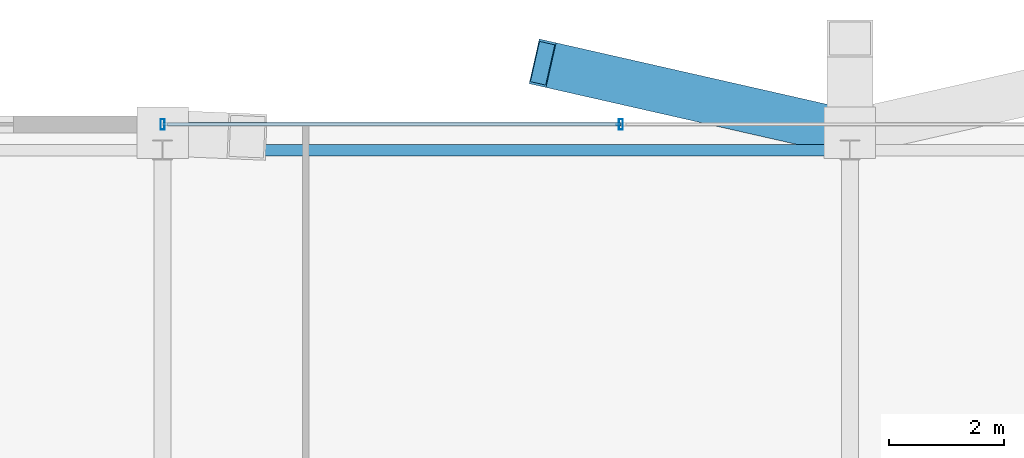
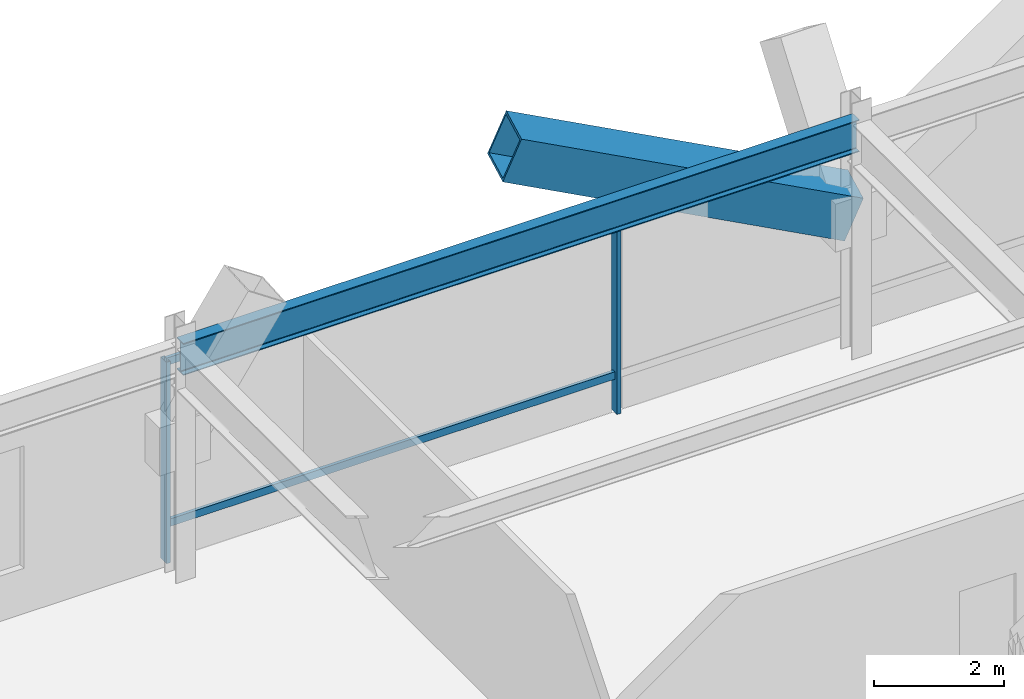
# One storey, part 10 of 21: 5 members, 1 beam, 1 element without a shape of its own.
"""IFC4 building model written with IfcOpenShell, lengths in metres."""

import ifcopenshell
import ifcopenshell.guid

model = None  # the IFC model being written
_history = None  # IfcOwnerHistory: only IFC2X3 demands one
_inside = {}  # id of a spatial element -> (the spatial element, [elements in it])
_under = {}  # id of a project, library or spatial element -> (it, [spatial elements below it])
_declared = {}  # id of a project -> (the project, [libraries it declares])
_typed = {}  # id of a type object -> (the type object, [elements of that type])
_made_of = {}  # id of a material, layer set ... -> (it, [elements and type objects made of it])


def new_model(schema):
    """Start an empty IFC model of exactly this schema.

    Asked for "IFC4X3", IfcOpenShell would pick the latest addendum, in which some entities
    have other attributes; the version numbers below select the first issue.
    IFC2X3 requires an IfcOwnerHistory on every rooted entity: one is made here for all.
    """
    global model, _history
    if schema == "IFC4X3":
        model = ifcopenshell.file(schema_version=(4, 3, 0, 0))
    else:
        model = ifcopenshell.file(schema=schema)
    _inside.clear()
    _under.clear()
    _declared.clear()
    _typed.clear()
    _made_of.clear()
    _history = None
    if model.schema == "IFC2X3":
        org = make("IfcOrganization", Name="unknown")
        user = make(
            "IfcPersonAndOrganization",
            ThePerson=make("IfcPerson", FamilyName="unknown"),
            TheOrganization=org,
        )
        app = make(
            "IfcApplication",
            ApplicationDeveloper=org,
            Version="unknown",
            ApplicationFullName="unknown",
            ApplicationIdentifier="unknown",
        )
        _history = make(
            "IfcOwnerHistory",
            OwningUser=user,
            OwningApplication=app,
            ChangeAction="ADDED",
            CreationDate=0,
        )
    return model


def make(cls, **values):
    """One entity of the class cls with the attributes given. An attribute that is None is left unset."""
    return model.create_entity(
        cls, **{name: value for name, value in values.items() if value is not None}
    )


def rooted(cls, **values):
    """An entity with a GlobalId (a new one), such as an element, a storey or a relation."""
    return make(cls, GlobalId=ifcopenshell.guid.new(), OwnerHistory=_history, **values)


def si_unit(unit_type, name, prefix=None):
    """IfcSIUnit, for example si_unit("LENGTHUNIT", "METRE", prefix="MILLI")."""
    return make("IfcSIUnit", UnitType=unit_type, Prefix=prefix, Name=name)


def assignment(units):
    """IfcUnitAssignment: the units of a project."""
    return None if units is None else make("IfcUnitAssignment", Units=units)


def point(xyz):
    """IfcCartesianPoint."""
    return None if xyz is None else make("IfcCartesianPoint", Coordinates=xyz)


def direction(xyz):
    """IfcDirection."""
    return None if xyz is None else make("IfcDirection", DirectionRatios=xyz)


def frame(location, z_axis=None, x_axis=None):
    """IfcAxis2Placement3D, a coordinate frame: its origin and axes. An axis left out is left unset."""
    return make(
        "IfcAxis2Placement3D",
        Location=point(location),
        Axis=direction(z_axis),
        RefDirection=direction(x_axis),
    )


def frame_2d(location, x_axis=None):
    """IfcAxis2Placement2D, a coordinate frame in the plane: its origin and x axis."""
    return make(
        "IfcAxis2Placement2D", Location=point(location), RefDirection=direction(x_axis)
    )


def origin():
    """The frame at (0, 0, 0) with its axes left unset."""
    return frame((0.0, 0.0, 0.0))


def origin_2d():
    """The frame at (0, 0) in the plane with its x axis left unset."""
    return frame_2d((0.0, 0.0))


def place(relative_to, where):
    """IfcLocalPlacement: puts the frame where relative to a parent placement (None: the world)."""
    return make(
        "IfcLocalPlacement", PlacementRelTo=relative_to, RelativePlacement=where
    )


def context(
    kind, dimensions, precision=None, world=None, true_north=None, identifier=None
):
    """IfcGeometricRepresentationContext, for example the 3D "Model" context."""
    return make(
        "IfcGeometricRepresentationContext",
        ContextIdentifier=identifier,
        ContextType=kind,
        CoordinateSpaceDimension=dimensions,
        Precision=precision,
        WorldCoordinateSystem=world,
        TrueNorth=true_north,
    )


def subcontext(parent, identifier, kind, view, scale=None):
    """IfcGeometricRepresentationSubContext, for example "Body" below "Model"."""
    return make(
        "IfcGeometricRepresentationSubContext",
        ContextIdentifier=identifier,
        ContextType=kind,
        ParentContext=parent,
        TargetScale=scale,
        TargetView=view,
    )


def project(units=None, contexts=None):
    """IfcProject with its units and contexts."""
    return rooted(
        "IfcProject",
        Name="project",
        RepresentationContexts=contexts,
        UnitsInContext=assignment(units),
    )


def spatial(cls, under=None, at=None, **own):
    """A site, building, storey or space (cls), placed at a placement, below another one or the project."""
    s = rooted(cls, ObjectPlacement=at, **own)
    if under is not None:
        _under.setdefault(under.id(), (under, []))[1].append(s)
    return s


def profile(cls, at=None, kind="AREA", **sizes):
    """A parametric profile (cls). Its sizes go by their IFC names, for example OverallWidth=200.0."""
    return make(cls, ProfileType=kind, Position=at, **sizes)


def hollow_rectangle(**sizes):
    """IfcRectangleHollowProfileDef."""
    return profile("IfcRectangleHollowProfileDef", **sizes)


def i_section(**sizes):
    """IfcIShapeProfileDef."""
    return profile("IfcIShapeProfileDef", **sizes)


def extrude(swept, where, along, depth):
    """IfcExtrudedAreaSolid: the profile swept, set in the frame where, extruded along a direction by depth."""
    return make(
        "IfcExtrudedAreaSolid",
        SweptArea=swept,
        Position=where,
        ExtrudedDirection=direction(along),
        Depth=depth,
    )


def shape(context_of_items, identifier, shape_type, items):
    """IfcShapeRepresentation: the items that make up one representation, for example the "Body"."""
    return make(
        "IfcShapeRepresentation",
        ContextOfItems=context_of_items,
        RepresentationIdentifier=identifier,
        RepresentationType=shape_type,
        Items=items,
    )


def material(Name=None, Category=None):
    """IfcMaterial."""
    return make("IfcMaterial", Name=Name, Category=Category)


def layer(
    of_material, thickness, ventilated=None, Name=None, Category=None, Priority=None
):
    """IfcMaterialLayer: one layer of a wall or slab, of a material (None: an air gap)."""
    return make(
        "IfcMaterialLayer",
        Material=of_material,
        LayerThickness=thickness,
        IsVentilated=ventilated,
        Name=Name,
        Category=Category,
        Priority=Priority,
    )


def layer_set(layers, Name=None):
    """IfcMaterialLayerSet."""
    return make("IfcMaterialLayerSet", MaterialLayers=layers, LayerSetName=Name)


def material_profile(
    of_material, cross_section, Name=None, Category=None, Priority=None
):
    """IfcMaterialProfile: a cross section and its material."""
    return make(
        "IfcMaterialProfile",
        Name=Name,
        Material=of_material,
        Profile=cross_section,
        Priority=Priority,
        Category=Category,
    )


def profile_set(profiles, Name=None, composite=None):
    """IfcMaterialProfileSet."""
    return make(
        "IfcMaterialProfileSet",
        Name=Name,
        MaterialProfiles=profiles,
        CompositeProfile=composite,
    )


def made_of(thing, what):
    """Note that an element or type object is made of a material, layer set ...; save() writes the relation."""
    if what is not None:
        _made_of.setdefault(what.id(), (what, []))[1].append(thing)
    return thing


def type_object(cls, material=None, **own):
    """A type object (cls), such as IfcWallType, which elements share."""
    return made_of(rooted(cls, **own), material)


def element(
    cls,
    number,
    at=None,
    inside=None,
    cuts=None,
    type_object=None,
    material=None,
    context=None,
    identifier="Body",
    shape_type=None,
    held_by="IfcProductDefinitionShape",
    body=None,
    shapes=None,
    **own,
):
    """One element of the class cls, such as IfcWall. Its Tag is "e" and its number.

    at: its placement. inside: the storey or other place that contains it. cuts: it is an
    opening in that element (IfcRelVoidsElement). A single representation is given by context,
    identifier, shape_type and body (its items); several are given by shapes. held_by: the class
    of the entity that holds the representations. save() writes the other relations.
    """
    e = rooted(cls, Tag="e%d" % number, ObjectPlacement=at, **own)
    if body is not None:
        shapes = [shape(context, identifier, shape_type, body)]
    if shapes is not None:
        e.Representation = make(held_by, Representations=shapes)
    if inside is not None:
        _inside.setdefault(inside.id(), (inside, []))[1].append(e)
    if cuts is not None:
        rooted(
            "IfcRelVoidsElement", RelatingBuildingElement=cuts, RelatedOpeningElement=e
        )
    if type_object is not None:
        _typed.setdefault(type_object.id(), (type_object, []))[1].append(e)
    return made_of(e, material)


def aggregate(whole, parts):
    """IfcRelAggregates: a whole, such as a stair, and the parts it consists of."""
    return rooted("IfcRelAggregates", RelatingObject=whole, RelatedObjects=parts)


def save(model, path):
    """Write the relations noted so far, then the file.

    IfcRelAggregates (storeys below a building ...), IfcRelContainedInSpatialStructure (elements
    in a storey), IfcRelDefinesByType, IfcRelAssociatesMaterial and IfcRelDeclares: one each for
    every whole, place, type object, material and project.
    """
    for whole, parts in _under.values():
        aggregate(whole, parts)
    for where, things in _inside.values():
        rooted(
            "IfcRelContainedInSpatialStructure",
            RelatedElements=things,
            RelatingStructure=where,
        )
    for kind, things in _typed.values():
        rooted("IfcRelDefinesByType", RelatedObjects=things, RelatingType=kind)
    for what, things in _made_of.values():
        rooted("IfcRelAssociatesMaterial", RelatedObjects=things, RelatingMaterial=what)
    for by, libraries in _declared.values():
        rooted("IfcRelDeclares", RelatingContext=by, RelatedDefinitions=libraries)
    model.write(path)


model = new_model("IFC4")

# Units and contexts
model_context = context("Model", 3, precision=1e-05, world=origin(), true_north=direction((0.0, 1.0)))
body_context = subcontext(model_context, "Body", "Model", "MODEL_VIEW")
ifc_project = project(units=[si_unit("LENGTHUNIT", "METRE"), si_unit("AREAUNIT", "SQUARE_METRE"), si_unit("VOLUMEUNIT", "CUBIC_METRE"), si_unit("PLANEANGLEUNIT", "RADIAN"), si_unit("MASSUNIT", "GRAM", prefix="KILO")], contexts=[model_context])

# Site, building, storey
site_placement = place(None, origin())
site = spatial("IfcSite", under=ifc_project, at=site_placement, CompositionType="ELEMENT")
building_placement = place(site_placement, origin())
building = spatial("IfcBuilding", under=site, at=building_placement, Name="Veldorina Hangang Commons", CompositionType="ELEMENT")
storey_placement = place(building_placement, frame((0.0, 0.0, 19.60009765625)))
storey = spatial("IfcBuildingStorey", under=building, at=storey_placement, Name="L04", CompositionType="ELEMENT", Elevation=19.60009765625)

# Beam
ifc_material_1 = material(Name="Steel SM420-TMC", Category="steel")
ifc_material_profile_1 = material_profile(ifc_material_1, i_section(OverallWidth=0.199951171875, OverallDepth=0.60009765625, WebThickness=0.010986328125, FlangeThickness=0.01708984375, FilletRadius=0.01806640625, at=origin_2d()), Name="H-600x200x11x17")
ifc_profile_set_1 = profile_set([ifc_material_profile_1], Name="Steel SM420-TMC")
beam_type = type_object("IfcBeamType", Name="BM-SPN600", PredefinedType="SPANDREL", material=ifc_profile_set_1)
beam_placement = place(storey_placement, frame((20.0, 44.550048828125, 4.099853515625), z_axis=(1.0, 0.0, 0.0), x_axis=(0.0, 1.0, 0.0)))
element("IfcBeam", 1, at=beam_placement, inside=storey, type_object=beam_type, Name="L04 north spandrel beam 3", PredefinedType="SPANDREL", context=body_context, shape_type="SweptSolid", body=[
    extrude(i_section(OverallWidth=0.199951171875, OverallDepth=0.60009765625, WebThickness=0.010986328125, FlangeThickness=0.01708984375, FilletRadius=0.01806640625, at=origin_2d()), origin(), (0.0, 0.0, 1.0), 12.0),
])

# Curtain wall, members
ifc_material_2 = material(Name="Glass Low-E Triple IGU", Category="glass")
ifc_layer = layer(ifc_material_2, 0.179931640625)
ifc_layer_set = layer_set([ifc_layer], Name="Glass Low-E Triple IGU")
curtain_wall_type = type_object("IfcCurtainWallType", Name="CW-SYS-POD", PredefinedType="NOTDEFINED", material=ifc_layer_set)
curtain_wall_placement = place(storey_placement, origin())
curtain_wall = element("IfcCurtainWall", 2, at=curtain_wall_placement, inside=storey, type_object=curtain_wall_type, Name="L04 unitised curtain wall CW-L04-N-CTR", PredefinedType="NOTDEFINED")
ifc_material_3 = material(Name="Aluminium Anodized AA6063-T6", Category="aluminium")
ifc_material_profile_2 = material_profile(ifc_material_3, hollow_rectangle(XDim=0.070068359375, YDim=0.179931640625, WallThickness=0.00390625, at=origin_2d()), Name="ALU-RHS-180x70x4")
ifc_profile_set_2 = profile_set([ifc_material_profile_2], Name="Aluminium Anodized AA6063-T6")
member_type_1 = type_object("IfcMemberType", Name="CW-MUL-180", PredefinedType="MULLION", material=ifc_profile_set_2)
member_1_placement = place(storey_placement, frame((28.0, 45.0, 0.0), z_axis=(0.0, 0.0, 1.0), x_axis=(-1.0, 0.0, 0.0)))
member_1 = element("IfcMember", 3, at=member_1_placement, type_object=member_type_1, Name="CW-L04-N-CTR vertical mullion 2", PredefinedType="MULLION", context=body_context, shape_type="SweptSolid", body=[
    extrude(hollow_rectangle(XDim=0.070068359375, YDim=0.179931640625, WallThickness=0.00390625, at=origin_2d()), origin(), (0.0, 0.0, 1.0), 3.77978515625),
])
member_2_placement = place(storey_placement, frame((20.0, 45.0, 0.0), z_axis=(0.0, 0.0, 1.0), x_axis=(1.0, 0.0, 0.0)))
member_2 = element("IfcMember", 4, at=member_2_placement, type_object=member_type_1, Name="CW-L04-N-CTR vertical mullion 3", PredefinedType="MULLION", context=body_context, shape_type="SweptSolid", body=[
    extrude(hollow_rectangle(XDim=0.070068359375, YDim=0.179931640625, WallThickness=0.00390625, at=origin_2d()), origin(), (0.0, 0.0, 1.0), 3.77978515625),
])
ifc_material_profile_3 = material_profile(ifc_material_3, hollow_rectangle(XDim=0.06005859375, YDim=0.139892578125, WallThickness=0.00341796875, at=origin_2d()), Name="ALU-RHS-140x60x3.5")
ifc_profile_set_3 = profile_set([ifc_material_profile_3], Name="Aluminium Anodized AA6063-T6")
member_type_2 = type_object("IfcMemberType", Name="CW-TRN-140", PredefinedType="USERDEFINED", material=ifc_profile_set_3)
member_3_placement = place(storey_placement, frame((28.0, 45.0, 0.699951171875), z_axis=(-1.0, 0.0, 0.0), x_axis=(0.0, -1.0, 0.0)))
member_3 = element("IfcMember", 5, at=member_3_placement, type_object=member_type_2, Name="CW-L04-N-CTR facet 3 transom 1", ObjectType="TRANSOM", PredefinedType="USERDEFINED", context=body_context, shape_type="SweptSolid", body=[
    extrude(hollow_rectangle(XDim=0.06005859375, YDim=0.139892578125, WallThickness=0.00341796875, at=origin_2d()), origin(), (0.0, 0.0, 1.0), 8.0),
])
member_4_placement = place(storey_placement, frame((28.0, 45.0, 3.739990234375), z_axis=(-1.0, 0.0, 0.0), x_axis=(0.0, -1.0, 0.0)))
member_4 = element("IfcMember", 6, at=member_4_placement, type_object=member_type_2, Name="CW-L04-N-CTR facet 3 transom 2", ObjectType="TRANSOM", PredefinedType="USERDEFINED", context=body_context, shape_type="SweptSolid", body=[
    extrude(hollow_rectangle(XDim=0.06005859375, YDim=0.139892578125, WallThickness=0.00341796875, at=origin_2d()), origin(), (0.0, 0.0, 1.0), 8.0),
])
aggregate(curtain_wall, [member_1, member_2, member_3, member_4])

# Member
ifc_material_4 = material(Name="Steel SM490-TMC", Category="steel")
ifc_material_profile_4 = material_profile(ifc_material_4, hollow_rectangle(XDim=0.800048828125, YDim=0.800048828125, WallThickness=0.0400390625, at=origin_2d()), Name="BOX-800x800x40")
ifc_profile_set_4 = profile_set([ifc_material_profile_4], Name="Steel SM490-TMC")
member_type_3 = type_object("IfcMemberType", Name="TR-BOX800", PredefinedType="BRACE", material=ifc_profile_set_4)
member_5_placement = place(storey_placement, frame((32.0, 44.85009765625, 2.5498046875), z_axis=(-0.902629292716, 0.2048424247, 0.378549786652), x_axis=(-0.221312278522, -0.975202991882, 0.0)))
element("IfcMember", 7, at=member_5_placement, inside=storey, type_object=member_type_3, Name="L04 podium-to-transfer raking strut 09", PredefinedType="BRACE", context=body_context, shape_type="SweptSolid", body=[
    extrude(hollow_rectangle(XDim=0.800048828125, YDim=0.800048828125, WallThickness=0.0400390625, at=origin_2d()), origin(), (0.0, 0.0, 1.0), 5.94384765625),
])

save(model, "model.ifc")
